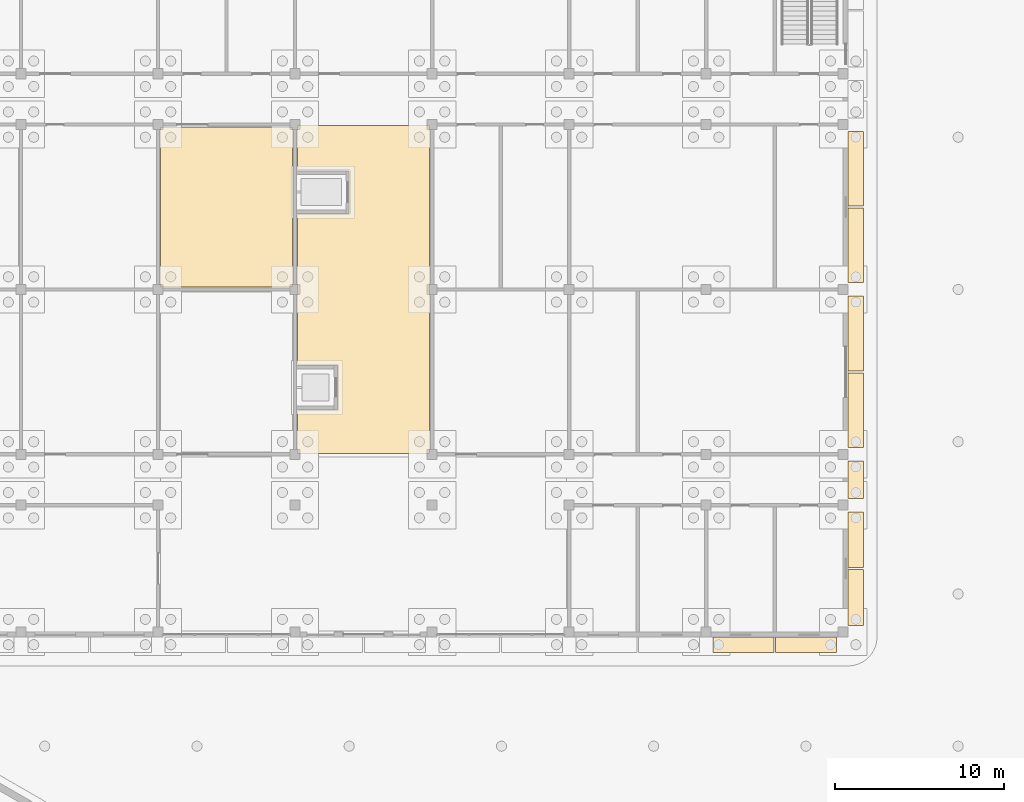
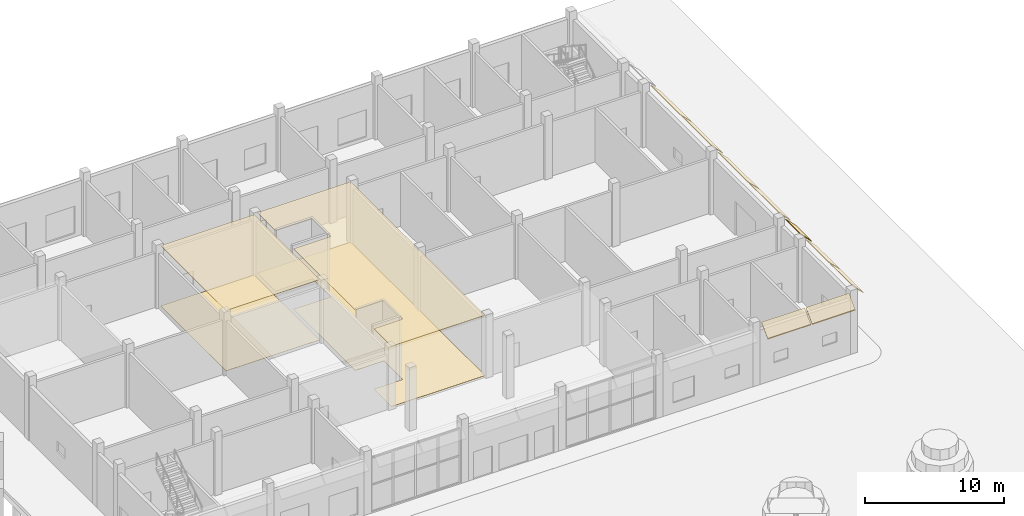
# One storey, part 39 of 44: 13 coverings.
"""IFC4 building model written with IfcOpenShell, lengths in metres."""

from ifc_helpers import new_model, si_unit, direction, frame, origin, place, context, subcontext, project, spatial, polyline, outline, extrude, material, layer, layer_set, type_object, element, save


model = new_model("IFC4")

# Units and contexts
model_context = context("Model", 3, precision=1e-05, world=origin(), true_north=direction((0.0, 1.0)))
body_context = subcontext(model_context, "Body", "Model", "MODEL_VIEW")
ifc_project = project(units=[si_unit("LENGTHUNIT", "METRE"), si_unit("AREAUNIT", "SQUARE_METRE"), si_unit("VOLUMEUNIT", "CUBIC_METRE"), si_unit("PLANEANGLEUNIT", "RADIAN"), si_unit("MASSUNIT", "GRAM", prefix="KILO")], contexts=[model_context])

# Site, building, storey
site_placement = place(None, origin())
site = spatial("IfcSite", under=ifc_project, at=site_placement, CompositionType="ELEMENT")
building_placement = place(site_placement, origin())
building = spatial("IfcBuilding", under=site, at=building_placement, Name="Frailejon Research Tower", CompositionType="ELEMENT")
storey_placement = place(building_placement, origin())
storey = spatial("IfcBuildingStorey", under=building, at=storey_placement, Name="L00", CompositionType="ELEMENT", Elevation=0.0)

# Coverings
ifc_material_1 = material(Name="Precast concrete C50/60", Category="concrete")
ifc_layer_1 = layer(ifc_material_1, 0.06005859375)
ifc_layer_set_1 = layer_set([ifc_layer_1], Name="HC visor depth 900")
covering_type_1 = type_object("IfcCoveringType", Name="HC visor depth 900", PredefinedType="CLADDING", material=ifc_layer_set_1)
for number, where, z_axis, x_axis, name in (
    (1, (97.10009765625, -20.550048828125, 5.449951171875), (-1.0, 0.0, 0.0), (0.0, -1.0, 0.0), "HC visor L00"),
    (2, (100.800048828125, -20.550048828125, 5.449951171875), (-1.0, 0.0, 0.0), (0.0, -1.0, 0.0), "HC visor L00"),
):
    element("IfcCovering", number, at=place(storey_placement, frame(where, z_axis=z_axis, x_axis=x_axis)), inside=storey, type_object=covering_type_1, Name=name, PredefinedType="CLADDING", context=body_context, shape_type="SweptSolid", body=[
        extrude(outline(polyline([(0.0, -0.0849609375), (0.89990234375, -0.98486328125), (0.89990234375, -0.89990234375), (0.0, 0.0), (0.0, -0.0849609375)])), origin(), (0.0, 0.0, 1.0), 3.60009765625),
    ])
for number, where, z_axis, x_axis, name in (
    (3, (101.5, -16.550048828125, 5.449951171875), (0.0, -1.0, 0.0), (1.0, 0.0, 0.0), "HC visor L00"),
    (4, (101.5, -13.14990234375, 5.449951171875), (0.0, -1.0, 0.0), (1.0, 0.0, 0.0), "HC visor L00"),
):
    element("IfcCovering", number, at=place(storey_placement, frame(where, z_axis=z_axis, x_axis=x_axis)), inside=storey, type_object=covering_type_1, Name=name, PredefinedType="CLADDING", context=body_context, shape_type="SweptSolid", body=[
        extrude(outline(polyline([(0.0, -0.0849609375), (0.89990234375, -0.98486328125), (0.89990234375, -0.89990234375), (0.0, 0.0), (0.0, -0.0849609375)])), origin(), (0.0, 0.0, 1.0), 3.300048828125),
    ])
covering_1_placement = place(storey_placement, frame((101.5, -10.14990234375, 5.449951171875), z_axis=(0.0, -1.0, 0.0), x_axis=(1.0, 0.0, 0.0)))
element("IfcCovering", 5, at=covering_1_placement, inside=storey, type_object=covering_type_1, Name="HC visor L00", PredefinedType="CLADDING", context=body_context, shape_type="SweptSolid", body=[
    extrude(outline(polyline([(0.0, -0.0849609375), (0.89990234375, -0.98486328125), (0.89990234375, -0.89990234375), (0.0, 0.0), (0.0, -0.0849609375)])), origin(), (0.0, 0.0, 1.0), 2.199951171875),
])
for number, where, z_axis, x_axis, name in (
    (6, (101.5, -4.925048828125, 5.449951171875), (0.0, -1.0, 0.0), (1.0, 0.0, 0.0), "HC visor L00"),
    (7, (101.5, -0.39990234375, 5.449951171875), (0.0, -1.0, 0.0), (1.0, 0.0, 0.0), "HC visor L00"),
    (8, (101.5, 4.824951171875, 5.449951171875), (0.0, -1.0, 0.0), (1.0, 0.0, 0.0), "HC visor L00"),
    (9, (101.5, 9.35009765625, 5.449951171875), (0.0, -1.0, 0.0), (1.0, 0.0, 0.0), "HC visor L00"),
):
    element("IfcCovering", number, at=place(storey_placement, frame(where, z_axis=z_axis, x_axis=x_axis)), inside=storey, type_object=covering_type_1, Name=name, PredefinedType="CLADDING", context=body_context, shape_type="SweptSolid", body=[
        extrude(outline(polyline([(0.0, -0.0849609375), (0.89990234375, -0.98486328125), (0.89990234375, -0.89990234375), (0.0, 0.0), (0.0, -0.0849609375)])), origin(), (0.0, 0.0, 1.0), 4.425048828125),
    ])
ifc_material_2 = material(Name="Mineral fibre ceiling board")
ifc_layer_2 = layer(ifc_material_2, 0.0400390625)
ifc_layer_set_2 = layer_set([ifc_layer_2], Name="Suspended ceiling 40")
covering_type_2 = type_object("IfcCoveringType", Name="Suspended ceiling 40", PredefinedType="CEILING", material=ifc_layer_set_2)
covering_2_placement = place(storey_placement, frame((0.0, 0.0, 5.31005859375)))
element("IfcCovering", 10, at=covering_2_placement, inside=storey, type_object=covering_type_2, Name="Ceiling Lift lobby H013", PredefinedType="CEILING", context=body_context, shape_type="SweptSolid", body=[
    extrude(outline(polyline([(68.949951171875, 7.050048828125), (72.050048828125, 7.050048828125), (72.050048828125, 4.449951171875), (68.949951171875, 4.449951171875), (68.949951171875, -4.449951171875), (71.35009765625, -4.449951171875), (71.35009765625, -7.14990234375), (68.949951171875, -7.14990234375), (68.949951171875, -9.699951171875), (76.75, -9.699951171875), (76.75, 9.699951171875), (68.949951171875, 9.699951171875), (68.949951171875, 7.050048828125)])), origin(), (0.0, 0.0, 1.0), 0.0400390625),
])
covering_3_placement = place(storey_placement, frame((0.0, 0.0, 5.31005859375)))
element("IfcCovering", 11, at=covering_3_placement, inside=storey, type_object=covering_type_2, Name="Ceiling Cafe H019", PredefinedType="CEILING", context=body_context, shape_type="SweptSolid", body=[
    extrude(outline(polyline([(68.64990234375, 9.60009765625), (60.85009765625, 9.60009765625), (60.85009765625, 0.14990234375), (68.64990234375, 0.14990234375), (68.64990234375, 9.60009765625)])), origin(), (0.0, 0.0, 1.0), 0.0400390625),
])
ifc_material_3 = material(Name="Polished terrazzo")
ifc_layer_3 = layer(ifc_material_3, 0.030029296875)
ifc_layer_set_3 = layer_set([ifc_layer_3], Name="Terrazzo floor finish 30")
covering_type_3 = type_object("IfcCoveringType", Name="Terrazzo floor finish 30", PredefinedType="FLOORING", material=ifc_layer_set_3)
covering_4_placement = place(storey_placement, origin())
element("IfcCovering", 12, at=covering_4_placement, inside=storey, type_object=covering_type_3, Name="Floor finish Lift lobby H013", PredefinedType="FLOORING", context=body_context, shape_type="SweptSolid", body=[
    extrude(outline(polyline([(68.949951171875, 7.050048828125), (72.050048828125, 7.050048828125), (72.050048828125, 4.449951171875), (68.949951171875, 4.449951171875), (68.949951171875, -4.449951171875), (71.35009765625, -4.449951171875), (71.35009765625, -7.14990234375), (68.949951171875, -7.14990234375), (68.949951171875, -9.699951171875), (76.75, -9.699951171875), (76.75, 9.699951171875), (68.949951171875, 9.699951171875), (68.949951171875, 7.050048828125)])), origin(), (0.0, 0.0, 1.0), 0.030029296875),
])
covering_5_placement = place(storey_placement, origin())
element("IfcCovering", 13, at=covering_5_placement, inside=storey, type_object=covering_type_3, Name="Floor finish Cafe H019", PredefinedType="FLOORING", context=body_context, shape_type="SweptSolid", body=[
    extrude(outline(polyline([(68.64990234375, 9.60009765625), (60.85009765625, 9.60009765625), (60.85009765625, 0.14990234375), (68.64990234375, 0.14990234375), (68.64990234375, 9.60009765625)])), origin(), (0.0, 0.0, 1.0), 0.030029296875),
])

save(model, "model.ifc")
